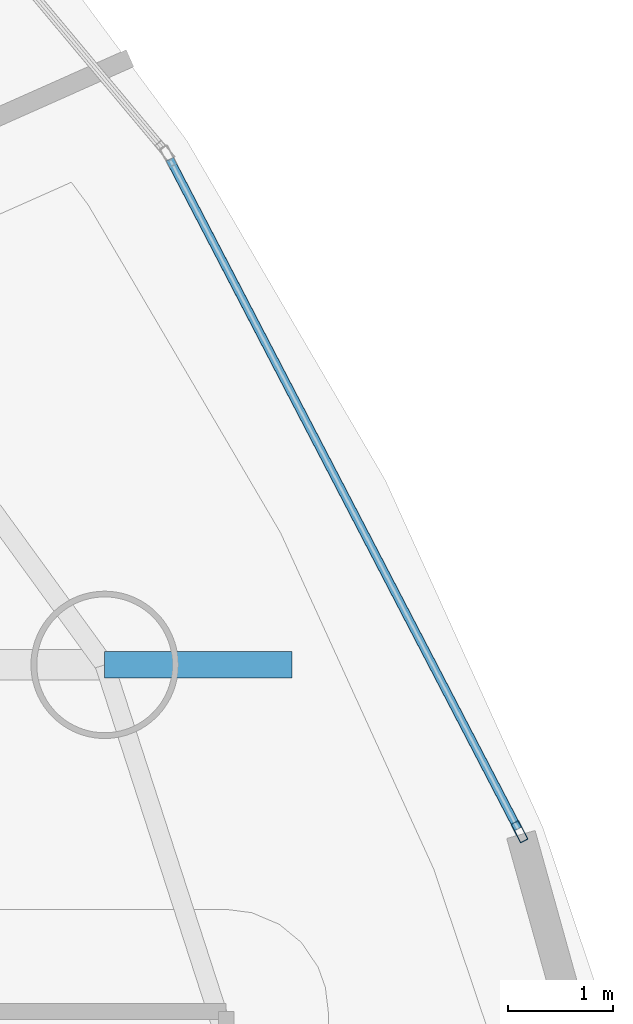
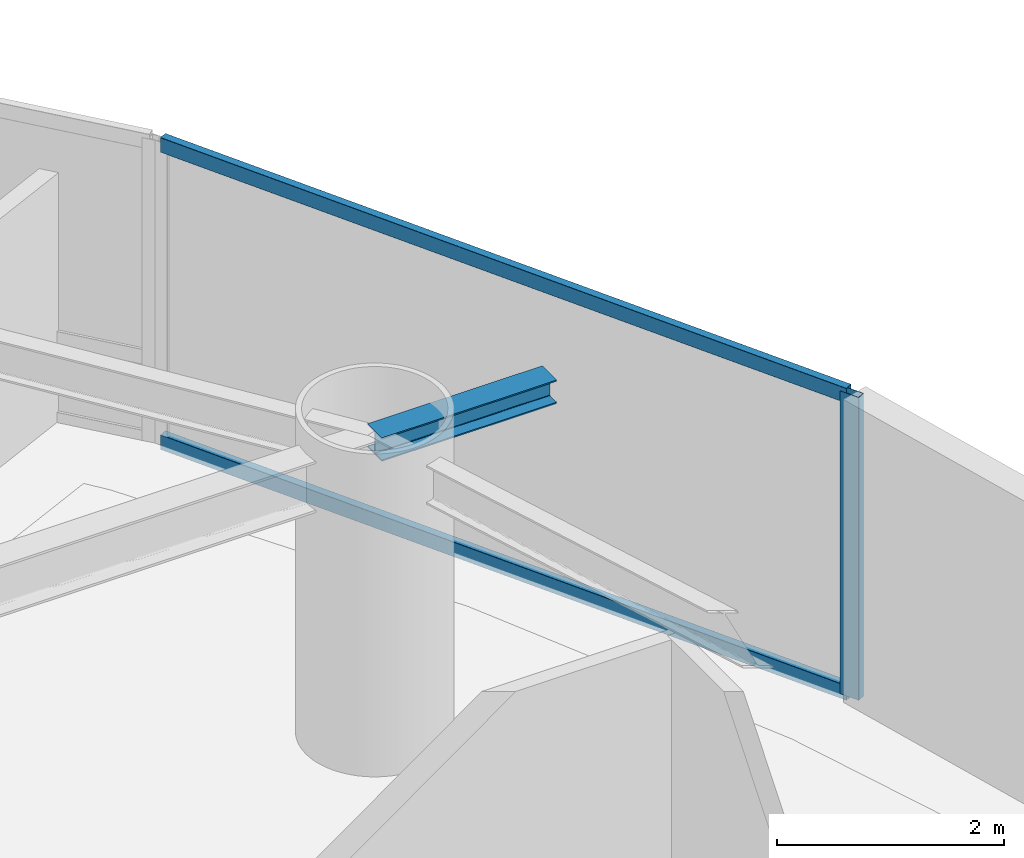
# One storey, part 7 of 20: 3 members, 1 beam, 1 element without a shape of its own.
"""IFC4 building model written with IfcOpenShell, lengths in metres."""

from ifc_helpers import new_model, si_unit, direction, frame, origin, origin_2d, place, context, subcontext, project, spatial, hollow_rectangle, i_section, extrude, material, layer, layer_set, material_profile, profile_set, type_object, element, aggregate, save


model = new_model("IFC4")

# Units and contexts
model_context = context("Model", 3, precision=1e-05, world=origin(), true_north=direction((0.0, 1.0)))
body_context = subcontext(model_context, "Body", "Model", "MODEL_VIEW")
ifc_project = project(units=[si_unit("LENGTHUNIT", "METRE"), si_unit("AREAUNIT", "SQUARE_METRE"), si_unit("VOLUMEUNIT", "CUBIC_METRE"), si_unit("PLANEANGLEUNIT", "RADIAN"), si_unit("MASSUNIT", "GRAM", prefix="KILO")], contexts=[model_context])

# Site, building, storey
site_placement = place(None, origin())
site = spatial("IfcSite", under=ifc_project, at=site_placement, CompositionType="ELEMENT")
building_placement = place(site_placement, origin())
building = spatial("IfcBuilding", under=site, at=building_placement, Name="Bramvorn Convention Spire", CompositionType="ELEMENT")
storey_placement = place(building_placement, frame((0.0, 0.0, 144.800048828125)))
storey = spatial("IfcBuildingStorey", under=building, at=storey_placement, Name="L36", CompositionType="ELEMENT", Elevation=144.800048828125)

# Beam
ifc_material_1 = material(Name="Steel CSA G40.21 Grade 350 (350W)", Category="steel")
ifc_material_profile_1 = material_profile(ifc_material_1, i_section(OverallWidth=0.25390625, OverallDepth=0.2529296875, WebThickness=0.008544921875, FlangeThickness=0.01416015625, FilletRadius=0.011962890625, at=origin_2d()))
ifc_profile_set_1 = profile_set([ifc_material_profile_1], Name="Steel CSA G40.21 Grade 350 (350W) - W250X73")
beam_type = type_object("IfcBeamType", Name="BM-W250X73", PredefinedType="BEAM", material=ifc_profile_set_1)
beam_placement = place(storey_placement, frame((60.345703125, 30.293212890625, 3.133544921875), z_axis=(1.0, 0.0, 0.0), x_axis=(0.0, 1.0, 0.0)))
element("IfcBeam", 1, at=beam_placement, inside=storey, type_object=beam_type, Name="L36 slab-edge cantilever tip beam MC03", PredefinedType="BEAM", context=body_context, shape_type="SweptSolid", body=[
    extrude(i_section(OverallWidth=0.25390625, OverallDepth=0.2529296875, WebThickness=0.008544921875, FlangeThickness=0.01416015625, FilletRadius=0.011962890625, at=origin_2d()), origin(), (0.0, 0.0, 1.0), 1.780029296875),
])

# Curtain wall, members
ifc_material_2 = material(Name="Anodised Bronze Unitised Curtain Wall", Category="aluminium")
ifc_layer = layer(ifc_material_2, 0.179931640625)
ifc_layer_set = layer_set([ifc_layer], Name="Anodised Bronze Unitised Curtain Wall - CW-HTL-FRIT")
curtain_wall_type = type_object("IfcCurtainWallType", Name="CW-HTL-FRIT", PredefinedType="USERDEFINED", material=ifc_layer_set)
curtain_wall_placement = place(storey_placement, origin())
curtain_wall = element("IfcCurtainWall", 2, at=curtain_wall_placement, inside=storey, type_object=curtain_wall_type, Name="L36 fritted glass curtain wall 04", ObjectType="UNITISED CURTAIN WALL", PredefinedType="USERDEFINED")
ifc_material_3 = material(Name="Anodised Bronze Aluminium 6063-T6", Category="aluminium")
ifc_material_profile_2 = material_profile(ifc_material_3, hollow_rectangle(XDim=0.080078125, YDim=0.199951171875, WallThickness=0.00390625, InnerFilletRadius=0.0009765625, OuterFilletRadius=0.00390625, at=origin_2d()))
ifc_profile_set_2 = profile_set([ifc_material_profile_2], Name="Anodised Bronze Aluminium 6063-T6 - CWM80X200")
member_type_1 = type_object("IfcMemberType", Name="CW-MUL-180", PredefinedType="MULLION", material=ifc_profile_set_2)
member_1_placement = place(storey_placement, frame((64.2861328125, 28.7080078125, 0.0), z_axis=(0.0, 0.0, 1.0), x_axis=(0.887216127619, 0.461354032054, 0.0)))
member_1 = element("IfcMember", 3, at=member_1_placement, type_object=member_type_1, Name="CW2 mullion 2", PredefinedType="MULLION", context=body_context, shape_type="SweptSolid", body=[
    extrude(hollow_rectangle(XDim=0.080078125, YDim=0.199951171875, WallThickness=0.00390625, InnerFilletRadius=0.0009765625, OuterFilletRadius=0.00390625, at=origin_2d()), origin(), (0.0, 0.0, 1.0), 3.260009765625),
])
ifc_material_profile_3 = material_profile(ifc_material_3, hollow_rectangle(XDim=0.080078125, YDim=0.159912109375, WallThickness=0.00390625, InnerFilletRadius=0.0009765625, OuterFilletRadius=0.00390625, at=origin_2d()))
ifc_profile_set_3 = profile_set([ifc_material_profile_3], Name="Anodised Bronze Aluminium 6063-T6 - CWT80X160")
member_type_2 = type_object("IfcMemberType", Name="CW-TRN-150", PredefinedType="USERDEFINED", material=ifc_profile_set_3)
member_2_placement = place(storey_placement, frame((60.963623046875, 35.09765625, 0.030029296875), z_axis=(0.461332371557, -0.887227390782, 0.0), x_axis=(0.887227390782, 0.461332371557, 0.0)))
member_2 = element("IfcMember", 4, at=member_2_placement, type_object=member_type_2, Name="CW2 transom 1.1", ObjectType="TRANSOM", PredefinedType="USERDEFINED", context=body_context, shape_type="SweptSolid", body=[
    extrude(hollow_rectangle(XDim=0.080078125, YDim=0.159912109375, WallThickness=0.00390625, InnerFilletRadius=0.0009765625, OuterFilletRadius=0.00390625, at=origin_2d()), origin(), (0.0, 0.0, 1.0), 7.171875),
])
member_3_placement = place(storey_placement, frame((60.963623046875, 35.09765625, 3.22998046875), z_axis=(0.461332371557, -0.887227390782, 0.0), x_axis=(0.887227390782, 0.461332371557, 0.0)))
member_3 = element("IfcMember", 5, at=member_3_placement, type_object=member_type_2, Name="CW2 transom 1.2", ObjectType="TRANSOM", PredefinedType="USERDEFINED", context=body_context, shape_type="SweptSolid", body=[
    extrude(hollow_rectangle(XDim=0.080078125, YDim=0.159912109375, WallThickness=0.00390625, InnerFilletRadius=0.0009765625, OuterFilletRadius=0.00390625, at=origin_2d()), origin(), (0.0, 0.0, 1.0), 7.171875),
])
aggregate(curtain_wall, [member_1, member_2, member_3])

save(model, "model.ifc")
